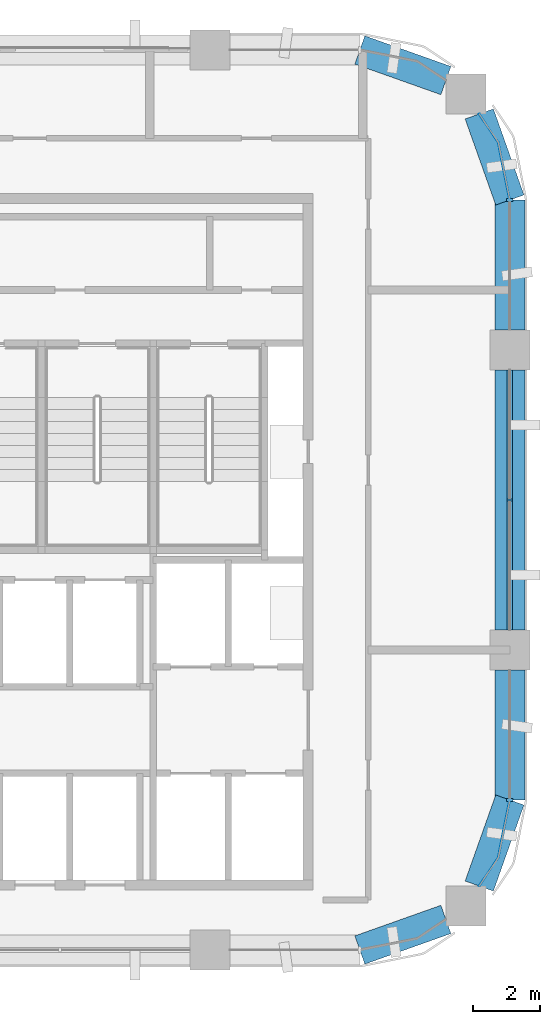
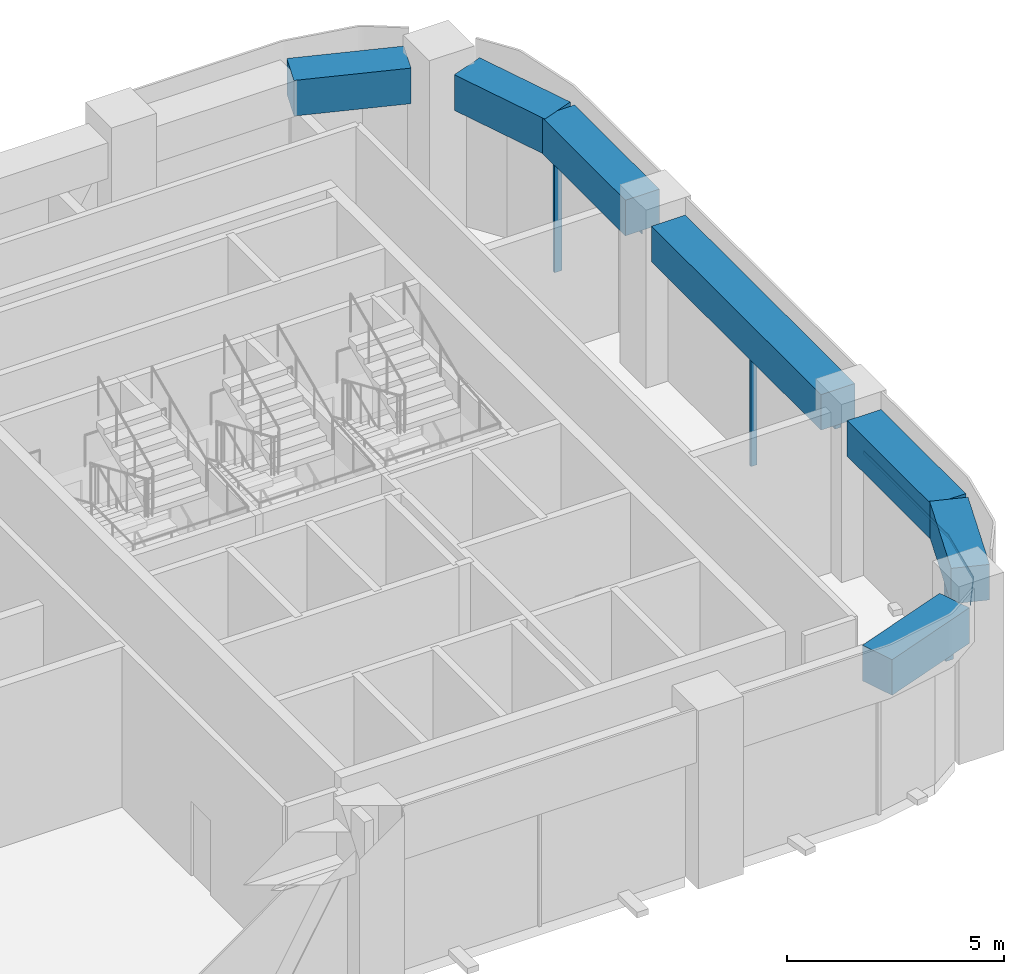
# One storey, part 5 of 11: 7 beams, 6 members, 3 elements without a shape of their own.
"""IFC4 building model written with IfcOpenShell, lengths in metres."""

import ifcopenshell
import ifcopenshell.guid

model = None  # the IFC model being written
_history = None  # IfcOwnerHistory: only IFC2X3 demands one
_inside = {}  # id of a spatial element -> (the spatial element, [elements in it])
_under = {}  # id of a project, library or spatial element -> (it, [spatial elements below it])
_declared = {}  # id of a project -> (the project, [libraries it declares])
_typed = {}  # id of a type object -> (the type object, [elements of that type])
_made_of = {}  # id of a material, layer set ... -> (it, [elements and type objects made of it])


def new_model(schema):
    """Start an empty IFC model of exactly this schema.

    Asked for "IFC4X3", IfcOpenShell would pick the latest addendum, in which some entities
    have other attributes; the version numbers below select the first issue.
    IFC2X3 requires an IfcOwnerHistory on every rooted entity: one is made here for all.
    """
    global model, _history
    if schema == "IFC4X3":
        model = ifcopenshell.file(schema_version=(4, 3, 0, 0))
    else:
        model = ifcopenshell.file(schema=schema)
    _inside.clear()
    _under.clear()
    _declared.clear()
    _typed.clear()
    _made_of.clear()
    _history = None
    if model.schema == "IFC2X3":
        org = make("IfcOrganization", Name="unknown")
        user = make(
            "IfcPersonAndOrganization",
            ThePerson=make("IfcPerson", FamilyName="unknown"),
            TheOrganization=org,
        )
        app = make(
            "IfcApplication",
            ApplicationDeveloper=org,
            Version="unknown",
            ApplicationFullName="unknown",
            ApplicationIdentifier="unknown",
        )
        _history = make(
            "IfcOwnerHistory",
            OwningUser=user,
            OwningApplication=app,
            ChangeAction="ADDED",
            CreationDate=0,
        )
    return model


def make(cls, **values):
    """One entity of the class cls with the attributes given. An attribute that is None is left unset."""
    return model.create_entity(
        cls, **{name: value for name, value in values.items() if value is not None}
    )


def rooted(cls, **values):
    """An entity with a GlobalId (a new one), such as an element, a storey or a relation."""
    return make(cls, GlobalId=ifcopenshell.guid.new(), OwnerHistory=_history, **values)


def si_unit(unit_type, name, prefix=None):
    """IfcSIUnit, for example si_unit("LENGTHUNIT", "METRE", prefix="MILLI")."""
    return make("IfcSIUnit", UnitType=unit_type, Prefix=prefix, Name=name)


def assignment(units):
    """IfcUnitAssignment: the units of a project."""
    return None if units is None else make("IfcUnitAssignment", Units=units)


def point(xyz):
    """IfcCartesianPoint."""
    return None if xyz is None else make("IfcCartesianPoint", Coordinates=xyz)


def direction(xyz):
    """IfcDirection."""
    return None if xyz is None else make("IfcDirection", DirectionRatios=xyz)


def frame(location, z_axis=None, x_axis=None):
    """IfcAxis2Placement3D, a coordinate frame: its origin and axes. An axis left out is left unset."""
    return make(
        "IfcAxis2Placement3D",
        Location=point(location),
        Axis=direction(z_axis),
        RefDirection=direction(x_axis),
    )


def frame_2d(location, x_axis=None):
    """IfcAxis2Placement2D, a coordinate frame in the plane: its origin and x axis."""
    return make(
        "IfcAxis2Placement2D", Location=point(location), RefDirection=direction(x_axis)
    )


def origin():
    """The frame at (0, 0, 0) with its axes left unset."""
    return frame((0.0, 0.0, 0.0))


def origin_2d():
    """The frame at (0, 0) in the plane with its x axis left unset."""
    return frame_2d((0.0, 0.0))


def place(relative_to, where):
    """IfcLocalPlacement: puts the frame where relative to a parent placement (None: the world)."""
    return make(
        "IfcLocalPlacement", PlacementRelTo=relative_to, RelativePlacement=where
    )


def context(
    kind, dimensions, precision=None, world=None, true_north=None, identifier=None
):
    """IfcGeometricRepresentationContext, for example the 3D "Model" context."""
    return make(
        "IfcGeometricRepresentationContext",
        ContextIdentifier=identifier,
        ContextType=kind,
        CoordinateSpaceDimension=dimensions,
        Precision=precision,
        WorldCoordinateSystem=world,
        TrueNorth=true_north,
    )


def subcontext(parent, identifier, kind, view, scale=None):
    """IfcGeometricRepresentationSubContext, for example "Body" below "Model"."""
    return make(
        "IfcGeometricRepresentationSubContext",
        ContextIdentifier=identifier,
        ContextType=kind,
        ParentContext=parent,
        TargetScale=scale,
        TargetView=view,
    )


def project(units=None, contexts=None):
    """IfcProject with its units and contexts."""
    return rooted(
        "IfcProject",
        Name="project",
        RepresentationContexts=contexts,
        UnitsInContext=assignment(units),
    )


def spatial(cls, under=None, at=None, **own):
    """A site, building, storey or space (cls), placed at a placement, below another one or the project."""
    s = rooted(cls, ObjectPlacement=at, **own)
    if under is not None:
        _under.setdefault(under.id(), (under, []))[1].append(s)
    return s


def polyline(points):
    """IfcPolyline through the points."""
    return make("IfcPolyline", Points=[point(p) for p in points])


def profile(cls, at=None, kind="AREA", **sizes):
    """A parametric profile (cls). Its sizes go by their IFC names, for example OverallWidth=200.0."""
    return make(cls, ProfileType=kind, Position=at, **sizes)


def rectangle(**sizes):
    """IfcRectangleProfileDef."""
    return profile("IfcRectangleProfileDef", **sizes)


def outline(outer, holes=None, kind="AREA"):
    """IfcArbitraryClosedProfileDef: a profile drawn as a closed curve; with holes, ...WithVoids."""
    if holes is None:
        return make("IfcArbitraryClosedProfileDef", ProfileType=kind, OuterCurve=outer)
    return make(
        "IfcArbitraryProfileDefWithVoids",
        ProfileType=kind,
        OuterCurve=outer,
        InnerCurves=holes,
    )


def extrude(swept, where, along, depth):
    """IfcExtrudedAreaSolid: the profile swept, set in the frame where, extruded along a direction by depth."""
    return make(
        "IfcExtrudedAreaSolid",
        SweptArea=swept,
        Position=where,
        ExtrudedDirection=direction(along),
        Depth=depth,
    )


def shape(context_of_items, identifier, shape_type, items):
    """IfcShapeRepresentation: the items that make up one representation, for example the "Body"."""
    return make(
        "IfcShapeRepresentation",
        ContextOfItems=context_of_items,
        RepresentationIdentifier=identifier,
        RepresentationType=shape_type,
        Items=items,
    )


def material(Name=None, Category=None):
    """IfcMaterial."""
    return make("IfcMaterial", Name=Name, Category=Category)


def material_profile(
    of_material, cross_section, Name=None, Category=None, Priority=None
):
    """IfcMaterialProfile: a cross section and its material."""
    return make(
        "IfcMaterialProfile",
        Name=Name,
        Material=of_material,
        Profile=cross_section,
        Priority=Priority,
        Category=Category,
    )


def profile_set(profiles, Name=None, composite=None):
    """IfcMaterialProfileSet."""
    return make(
        "IfcMaterialProfileSet",
        Name=Name,
        MaterialProfiles=profiles,
        CompositeProfile=composite,
    )


def made_of(thing, what):
    """Note that an element or type object is made of a material, layer set ...; save() writes the relation."""
    if what is not None:
        _made_of.setdefault(what.id(), (what, []))[1].append(thing)
    return thing


def type_object(cls, material=None, **own):
    """A type object (cls), such as IfcWallType, which elements share."""
    return made_of(rooted(cls, **own), material)


def element(
    cls,
    number,
    at=None,
    inside=None,
    cuts=None,
    type_object=None,
    material=None,
    context=None,
    identifier="Body",
    shape_type=None,
    held_by="IfcProductDefinitionShape",
    body=None,
    shapes=None,
    **own,
):
    """One element of the class cls, such as IfcWall. Its Tag is "e" and its number.

    at: its placement. inside: the storey or other place that contains it. cuts: it is an
    opening in that element (IfcRelVoidsElement). A single representation is given by context,
    identifier, shape_type and body (its items); several are given by shapes. held_by: the class
    of the entity that holds the representations. save() writes the other relations.
    """
    e = rooted(cls, Tag="e%d" % number, ObjectPlacement=at, **own)
    if body is not None:
        shapes = [shape(context, identifier, shape_type, body)]
    if shapes is not None:
        e.Representation = make(held_by, Representations=shapes)
    if inside is not None:
        _inside.setdefault(inside.id(), (inside, []))[1].append(e)
    if cuts is not None:
        rooted(
            "IfcRelVoidsElement", RelatingBuildingElement=cuts, RelatedOpeningElement=e
        )
    if type_object is not None:
        _typed.setdefault(type_object.id(), (type_object, []))[1].append(e)
    return made_of(e, material)


def aggregate(whole, parts):
    """IfcRelAggregates: a whole, such as a stair, and the parts it consists of."""
    return rooted("IfcRelAggregates", RelatingObject=whole, RelatedObjects=parts)


def save(model, path):
    """Write the relations noted so far, then the file.

    IfcRelAggregates (storeys below a building ...), IfcRelContainedInSpatialStructure (elements
    in a storey), IfcRelDefinesByType, IfcRelAssociatesMaterial and IfcRelDeclares: one each for
    every whole, place, type object, material and project.
    """
    for whole, parts in _under.values():
        aggregate(whole, parts)
    for where, things in _inside.values():
        rooted(
            "IfcRelContainedInSpatialStructure",
            RelatedElements=things,
            RelatingStructure=where,
        )
    for kind, things in _typed.values():
        rooted("IfcRelDefinesByType", RelatedObjects=things, RelatingType=kind)
    for what, things in _made_of.values():
        rooted("IfcRelAssociatesMaterial", RelatedObjects=things, RelatingMaterial=what)
    for by, libraries in _declared.values():
        rooted("IfcRelDeclares", RelatingContext=by, RelatedDefinitions=libraries)
    model.write(path)


model = new_model("IFC4")

# Units and contexts
model_context = context("Model", 3, precision=1e-05, world=origin(), true_north=direction((0.0, 1.0)))
body_context = subcontext(model_context, "Body", "Model", "MODEL_VIEW")
ifc_project = project(units=[si_unit("LENGTHUNIT", "METRE"), si_unit("AREAUNIT", "SQUARE_METRE"), si_unit("VOLUMEUNIT", "CUBIC_METRE"), si_unit("PLANEANGLEUNIT", "RADIAN"), si_unit("MASSUNIT", "GRAM", prefix="KILO")], contexts=[model_context])

# Site, building, storey
site_placement = place(None, origin())
site = spatial("IfcSite", under=ifc_project, at=site_placement, CompositionType="ELEMENT")
building_placement = place(site_placement, origin())
building = spatial("IfcBuilding", under=site, at=building_placement, Name="Tessera Arch", CompositionType="ELEMENT")
storey_placement = place(building_placement, frame((0.0, 0.0, 290.199951171875)))
storey = spatial("IfcBuildingStorey", under=building, at=storey_placement, Name="L70", CompositionType="ELEMENT", Elevation=290.199951171875)

# Curtain wall, members
ifc_material_1 = material(Name="CW1 curtain wall")
curtain_wall_type_1 = type_object("IfcCurtainWallType", Name="CW1 curtain wall", PredefinedType="NOTDEFINED", material=ifc_material_1)
curtain_wall_1_placement = place(storey_placement, origin())
curtain_wall_1 = element("IfcCurtainWall", 1, at=curtain_wall_1_placement, inside=storey, type_object=curtain_wall_type_1, Name="CW1 curtain wall E54.27/0 L70", PredefinedType="NOTDEFINED")
ifc_material_2 = material(Name="Anodised aluminium pale metal", Category="aluminium")
ifc_material_profile_1 = material_profile(ifc_material_2, rectangle(XDim=0.159912109375, YDim=0.06005859375, at=origin_2d()), Name="AL 60x160")
ifc_profile_set_1 = profile_set([ifc_material_profile_1], Name="Anodised aluminium pale metal")
member_type_1 = type_object("IfcMemberType", Name="CW1 mullion", PredefinedType="MULLION", material=ifc_profile_set_1)
member_1_placement = place(storey_placement, frame((54.0, 40.5, 0.0), z_axis=(0.0, 0.0, 1.0), x_axis=(-1.0, 0.0, 0.0)))
member_1 = element("IfcMember", 2, at=member_1_placement, type_object=member_type_1, Name="CW1 mullion E54.27/0 1", PredefinedType="MULLION", context=body_context, shape_type="SweptSolid", body=[
    extrude(rectangle(XDim=0.159912109375, YDim=0.06005859375, at=origin_2d()), origin(), (0.0, 0.0, 1.0), 3.400146484375),
])
ifc_material_3 = material(Name="Anodised aluminium pale metal", Category="aluminium")
ifc_material_profile_2 = material_profile(ifc_material_3, rectangle(XDim=0.159912109375, YDim=0.10009765625, at=origin_2d()), Name="AL 160x100")
ifc_profile_set_2 = profile_set([ifc_material_profile_2], Name="Anodised aluminium pale metal")
member_type_2 = type_object("IfcMemberType", Name="CW1 transom", PredefinedType="USERDEFINED", material=ifc_profile_set_2)
member_2_placement = place(storey_placement, frame((54.0, 36.60009765625, 3.449951171875), z_axis=(0.0, 1.0, 0.0), x_axis=(-1.0, 0.0, 0.0)))
member_2 = element("IfcMember", 3, at=member_2_placement, type_object=member_type_2, Name="CW1 transom E54.27/0 1.1", ObjectType="TRANSOM", PredefinedType="USERDEFINED", context=body_context, shape_type="SweptSolid", body=[
    extrude(rectangle(XDim=0.159912109375, YDim=0.10009765625, at=origin_2d()), origin(), (0.0, 0.0, 1.0), 7.7998046875),
])
aggregate(curtain_wall_1, [member_1, member_2])

# Curtain wall, member
ifc_material_4 = material(Name="CW2 curtain wall")
curtain_wall_type_2 = type_object("IfcCurtainWallType", Name="CW2 curtain wall", PredefinedType="NOTDEFINED", material=ifc_material_4)
curtain_wall_2_placement = place(storey_placement, origin())
curtain_wall_2 = element("IfcCurtainWall", 4, at=curtain_wall_2_placement, inside=storey, type_object=curtain_wall_type_2, Name="CW2 curtain wall E54.27/1 L70", PredefinedType="NOTDEFINED")
ifc_material_5 = material(Name="Anodised aluminium pale metal", Category="aluminium")
ifc_material_profile_3 = material_profile(ifc_material_5, rectangle(XDim=0.199951171875, YDim=0.080078125, at=origin_2d()), Name="AL 80x200")
ifc_profile_set_3 = profile_set([ifc_material_profile_3], Name="Anodised aluminium pale metal")
member_type_3 = type_object("IfcMemberType", Name="CW2 mullion", PredefinedType="MULLION", material=ifc_profile_set_3)
member_3_placement = place(storey_placement, frame((54.0, 49.5, 0.0), z_axis=(0.0, 0.0, 1.0), x_axis=(-1.0, 0.0, 0.0)))
member_3 = element("IfcMember", 5, at=member_3_placement, type_object=member_type_3, Name="CW2 mullion E54.27/1 1", PredefinedType="MULLION", context=body_context, shape_type="SweptSolid", body=[
    extrude(rectangle(XDim=0.199951171875, YDim=0.080078125, at=origin_2d()), origin(), (0.0, 0.0, 1.0), 3.400146484375),
])

curtain_wall_3_placement = place(storey_placement, origin())
curtain_wall_3 = element("IfcCurtainWall", 6, at=curtain_wall_3_placement, inside=storey, type_object=curtain_wall_type_2, Name="CW2 curtain wall E54.27/2 L70", PredefinedType="NOTDEFINED")
member_4_placement = place(storey_placement, frame((54.0, 31.5, 0.0), z_axis=(0.0, 0.0, 1.0), x_axis=(-1.0, 0.0, 0.0)))
member_4 = element("IfcMember", 7, at=member_4_placement, type_object=member_type_3, Name="CW2 mullion E54.27/2 1", PredefinedType="MULLION", context=body_context, shape_type="SweptSolid", body=[
    extrude(rectangle(XDim=0.199951171875, YDim=0.080078125, at=origin_2d()), origin(), (0.0, 0.0, 1.0), 3.400146484375),
])

# Member
ifc_material_6 = material(Name="Anodised aluminium pale metal", Category="aluminium")
ifc_material_profile_4 = material_profile(ifc_material_6, rectangle(XDim=0.199951171875, YDim=0.10009765625, at=origin_2d()), Name="AL 200x100")
ifc_profile_set_4 = profile_set([ifc_material_profile_4], Name="Anodised aluminium pale metal")
member_type_4 = type_object("IfcMemberType", Name="CW2 transom", PredefinedType="USERDEFINED", material=ifc_profile_set_4)
member_5_placement = place(storey_placement, frame((0.0, 0.0, 3.400146484375)))
member_5 = element("IfcMember", 8, at=member_5_placement, type_object=member_type_4, Name="CW2 transom E54.27/1 1", ObjectType="TRANSOM", PredefinedType="USERDEFINED", context=body_context, shape_type="SweptSolid", body=[
    extrude(outline(polyline([(53.989990234375, 49.4990234375), (53.989990234375, 45.60009765625), (54.010009765625, 45.60009765625), (54.010009765625, 49.5009765625), (53.6669921875, 51.22607421875), (53.09130859375, 52.087646484375), (53.07470703125, 52.076416015625), (53.648193359375, 51.21826171875), (53.989990234375, 49.4990234375)])), origin(), (0.0, 0.0, 1.0), 0.099853515625),
])

aggregate(curtain_wall_2, [member_3, member_5])

member_6_placement = place(storey_placement, frame((0.0, 0.0, 3.400146484375)))
member_6 = element("IfcMember", 9, at=member_6_placement, type_object=member_type_4, Name="CW2 transom E54.27/2 1", ObjectType="TRANSOM", PredefinedType="USERDEFINED", context=body_context, shape_type="SweptSolid", body=[
    extrude(outline(polyline([(53.648193359375, 29.78173828125), (53.07470703125, 28.923583984375), (53.09130859375, 28.912353515625), (53.6669921875, 29.77392578125), (54.010009765625, 31.4990234375), (54.010009765625, 35.39990234375), (53.989990234375, 35.39990234375), (53.989990234375, 31.5009765625), (53.648193359375, 29.78173828125)])), origin(), (0.0, 0.0, 1.0), 0.099853515625),
])

aggregate(curtain_wall_3, [member_4, member_6])

# Beams
ifc_material_7 = material(Name="Concrete C60/75", Category="concrete")
ifc_material_profile_5 = material_profile(ifc_material_7, rectangle(XDim=0.89990234375, YDim=1.0, at=origin_2d()), Name="RC spandrel beam 900 x 1000 Concrete C60/75")
ifc_profile_set_5 = profile_set([ifc_material_profile_5], Name="Concrete C60/75")
beam_type = type_object("IfcBeamType", Name="RC spandrel beam 900 x 1000 Concrete C60/75", PredefinedType="BEAM", material=ifc_profile_set_5)
beam_1_placement = place(storey_placement, frame((54.0, 36.60009765625, 4.0), z_axis=(0.0, 1.0, 0.0), x_axis=(-1.0, 0.0, 0.0)))
element("IfcBeam", 10, at=beam_1_placement, inside=storey, type_object=beam_type, Name="Spandrel beam L70 E54.27/0", PredefinedType="BEAM", context=body_context, shape_type="SweptSolid", body=[
    extrude(rectangle(XDim=0.89990234375, YDim=1.0, at=origin_2d()), origin(), (0.0, 0.0, 1.0), 7.7998046875),
])
beam_2_placement = place(storey_placement, frame((54.0, 45.60009765625, 4.0), z_axis=(0.0, 1.0, 0.0), x_axis=(-1.0, 0.0, 0.0)))
element("IfcBeam", 11, at=beam_2_placement, inside=storey, type_object=beam_type, Name="Spandrel beam L70 E54.27/1.1", PredefinedType="BEAM", context=body_context, shape_type="SweptSolid", body=[
    extrude(rectangle(XDim=0.89990234375, YDim=1.0, at=origin_2d()), origin(), (0.0, 0.0, 1.0), 3.89990234375),
])
for number, where, z_axis, x_axis, name in (
    (12, (54.0, 49.5, 4.0), (-0.334665114373, 0.942337127159, 0.0), (-0.942337127159, -0.334665114373, 0.0), "Spandrel beam L70 E54.27/1.2"),
    (13, (52.08203125, 53.0830078125, 4.0), (-0.942337127159, 0.334665114373, 0.0), (-0.334665114373, -0.942337127159, 0.0), "Spandrel beam L70 N54.18/0.1"),
    (14, (49.5, 27.0, 4.0), (0.942337127159, 0.334665114373, 0.0), (-0.334665114373, 0.942337127159, 0.0), "Spandrel beam L70 S27.18/3.2"),
    (15, (53.0830078125, 28.91796875, 4.0), (0.334665114373, 0.942337127159, 0.0), (-0.942337127159, 0.334665114373, 0.0), "Spandrel beam L70 E54.27/2.1"),
):
    element("IfcBeam", number, at=place(storey_placement, frame(where, z_axis=z_axis, x_axis=x_axis)), inside=storey, type_object=beam_type, Name=name, PredefinedType="BEAM", context=body_context, shape_type="SweptSolid", body=[
        extrude(rectangle(XDim=0.89990234375, YDim=1.0, at=origin_2d()), origin(), (0.0, 0.0, 1.0), 2.739990234375),
    ])
beam_3_placement = place(storey_placement, frame((54.0, 31.5, 4.0), z_axis=(0.0, 1.0, 0.0), x_axis=(-1.0, 0.0, 0.0)))
element("IfcBeam", 16, at=beam_3_placement, inside=storey, type_object=beam_type, Name="Spandrel beam L70 E54.27/2.2", PredefinedType="BEAM", context=body_context, shape_type="SweptSolid", body=[
    extrude(rectangle(XDim=0.89990234375, YDim=1.0, at=origin_2d()), origin(), (0.0, 0.0, 1.0), 3.89990234375),
])

save(model, "model.ifc")
